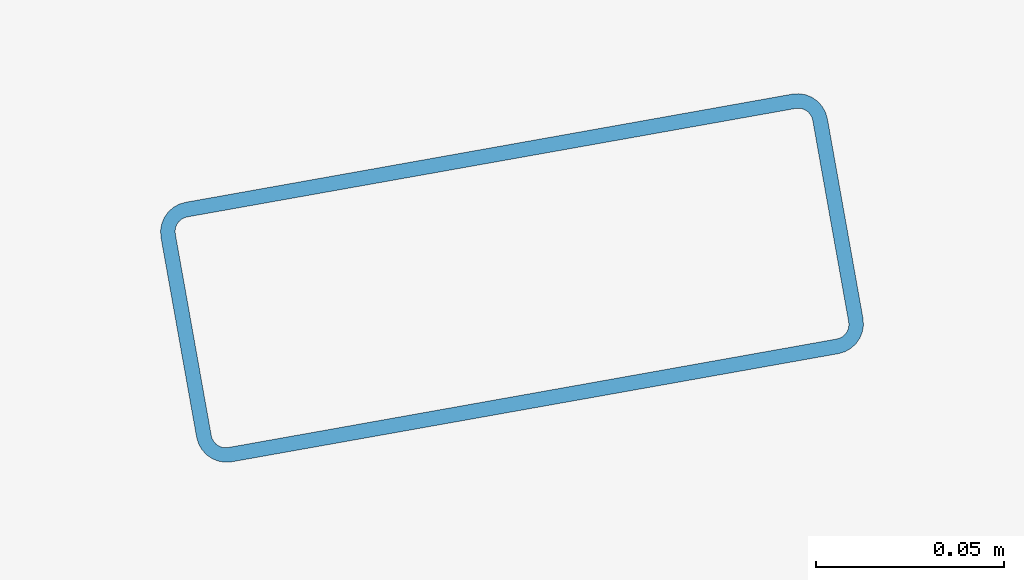
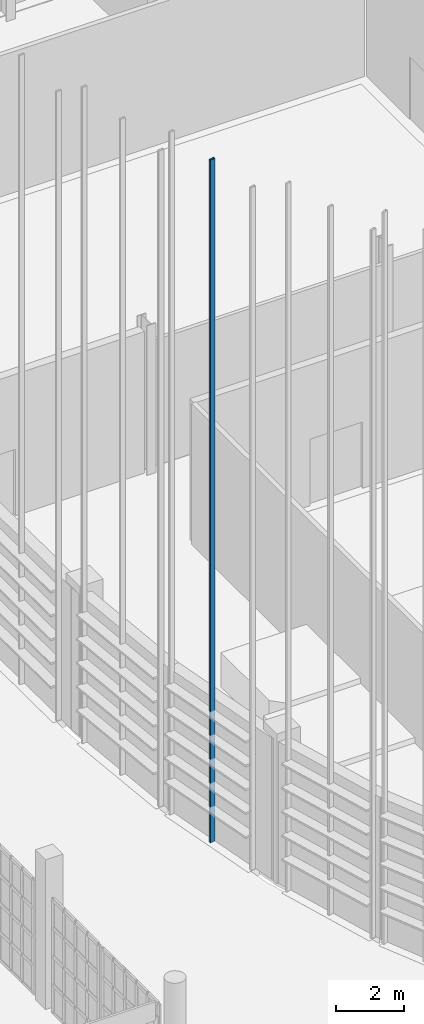
# One storey, part 80 of 372: 1 member.
"""IFC4 building model written with IfcOpenShell, lengths in metres."""

import ifcopenshell
import ifcopenshell.guid

model = None  # the IFC model being written
_history = None  # IfcOwnerHistory: only IFC2X3 demands one
_inside = {}  # id of a spatial element -> (the spatial element, [elements in it])
_under = {}  # id of a project, library or spatial element -> (it, [spatial elements below it])
_declared = {}  # id of a project -> (the project, [libraries it declares])
_typed = {}  # id of a type object -> (the type object, [elements of that type])
_made_of = {}  # id of a material, layer set ... -> (it, [elements and type objects made of it])


def new_model(schema):
    """Start an empty IFC model of exactly this schema.

    Asked for "IFC4X3", IfcOpenShell would pick the latest addendum, in which some entities
    have other attributes; the version numbers below select the first issue.
    IFC2X3 requires an IfcOwnerHistory on every rooted entity: one is made here for all.
    """
    global model, _history
    if schema == "IFC4X3":
        model = ifcopenshell.file(schema_version=(4, 3, 0, 0))
    else:
        model = ifcopenshell.file(schema=schema)
    _inside.clear()
    _under.clear()
    _declared.clear()
    _typed.clear()
    _made_of.clear()
    _history = None
    if model.schema == "IFC2X3":
        org = make("IfcOrganization", Name="unknown")
        user = make(
            "IfcPersonAndOrganization",
            ThePerson=make("IfcPerson", FamilyName="unknown"),
            TheOrganization=org,
        )
        app = make(
            "IfcApplication",
            ApplicationDeveloper=org,
            Version="unknown",
            ApplicationFullName="unknown",
            ApplicationIdentifier="unknown",
        )
        _history = make(
            "IfcOwnerHistory",
            OwningUser=user,
            OwningApplication=app,
            ChangeAction="ADDED",
            CreationDate=0,
        )
    return model


def make(cls, **values):
    """One entity of the class cls with the attributes given. An attribute that is None is left unset."""
    return model.create_entity(
        cls, **{name: value for name, value in values.items() if value is not None}
    )


def rooted(cls, **values):
    """An entity with a GlobalId (a new one), such as an element, a storey or a relation."""
    return make(cls, GlobalId=ifcopenshell.guid.new(), OwnerHistory=_history, **values)


def si_unit(unit_type, name, prefix=None):
    """IfcSIUnit, for example si_unit("LENGTHUNIT", "METRE", prefix="MILLI")."""
    return make("IfcSIUnit", UnitType=unit_type, Prefix=prefix, Name=name)


def assignment(units):
    """IfcUnitAssignment: the units of a project."""
    return None if units is None else make("IfcUnitAssignment", Units=units)


def point(xyz):
    """IfcCartesianPoint."""
    return None if xyz is None else make("IfcCartesianPoint", Coordinates=xyz)


def direction(xyz):
    """IfcDirection."""
    return None if xyz is None else make("IfcDirection", DirectionRatios=xyz)


def frame(location, z_axis=None, x_axis=None):
    """IfcAxis2Placement3D, a coordinate frame: its origin and axes. An axis left out is left unset."""
    return make(
        "IfcAxis2Placement3D",
        Location=point(location),
        Axis=direction(z_axis),
        RefDirection=direction(x_axis),
    )


def frame_2d(location, x_axis=None):
    """IfcAxis2Placement2D, a coordinate frame in the plane: its origin and x axis."""
    return make(
        "IfcAxis2Placement2D", Location=point(location), RefDirection=direction(x_axis)
    )


def origin():
    """The frame at (0, 0, 0) with its axes left unset."""
    return frame((0.0, 0.0, 0.0))


def origin_2d():
    """The frame at (0, 0) in the plane with its x axis left unset."""
    return frame_2d((0.0, 0.0))


def place(relative_to, where):
    """IfcLocalPlacement: puts the frame where relative to a parent placement (None: the world)."""
    return make(
        "IfcLocalPlacement", PlacementRelTo=relative_to, RelativePlacement=where
    )


def context(
    kind, dimensions, precision=None, world=None, true_north=None, identifier=None
):
    """IfcGeometricRepresentationContext, for example the 3D "Model" context."""
    return make(
        "IfcGeometricRepresentationContext",
        ContextIdentifier=identifier,
        ContextType=kind,
        CoordinateSpaceDimension=dimensions,
        Precision=precision,
        WorldCoordinateSystem=world,
        TrueNorth=true_north,
    )


def subcontext(parent, identifier, kind, view, scale=None):
    """IfcGeometricRepresentationSubContext, for example "Body" below "Model"."""
    return make(
        "IfcGeometricRepresentationSubContext",
        ContextIdentifier=identifier,
        ContextType=kind,
        ParentContext=parent,
        TargetScale=scale,
        TargetView=view,
    )


def project(units=None, contexts=None):
    """IfcProject with its units and contexts."""
    return rooted(
        "IfcProject",
        Name="project",
        RepresentationContexts=contexts,
        UnitsInContext=assignment(units),
    )


def spatial(cls, under=None, at=None, **own):
    """A site, building, storey or space (cls), placed at a placement, below another one or the project."""
    s = rooted(cls, ObjectPlacement=at, **own)
    if under is not None:
        _under.setdefault(under.id(), (under, []))[1].append(s)
    return s


def profile(cls, at=None, kind="AREA", **sizes):
    """A parametric profile (cls). Its sizes go by their IFC names, for example OverallWidth=200.0."""
    return make(cls, ProfileType=kind, Position=at, **sizes)


def hollow_rectangle(**sizes):
    """IfcRectangleHollowProfileDef."""
    return profile("IfcRectangleHollowProfileDef", **sizes)


def extrude(swept, where, along, depth):
    """IfcExtrudedAreaSolid: the profile swept, set in the frame where, extruded along a direction by depth."""
    return make(
        "IfcExtrudedAreaSolid",
        SweptArea=swept,
        Position=where,
        ExtrudedDirection=direction(along),
        Depth=depth,
    )


def shape(context_of_items, identifier, shape_type, items):
    """IfcShapeRepresentation: the items that make up one representation, for example the "Body"."""
    return make(
        "IfcShapeRepresentation",
        ContextOfItems=context_of_items,
        RepresentationIdentifier=identifier,
        RepresentationType=shape_type,
        Items=items,
    )


def material(Name=None, Category=None):
    """IfcMaterial."""
    return make("IfcMaterial", Name=Name, Category=Category)


def material_profile(
    of_material, cross_section, Name=None, Category=None, Priority=None
):
    """IfcMaterialProfile: a cross section and its material."""
    return make(
        "IfcMaterialProfile",
        Name=Name,
        Material=of_material,
        Profile=cross_section,
        Priority=Priority,
        Category=Category,
    )


def profile_set(profiles, Name=None, composite=None):
    """IfcMaterialProfileSet."""
    return make(
        "IfcMaterialProfileSet",
        Name=Name,
        MaterialProfiles=profiles,
        CompositeProfile=composite,
    )


def made_of(thing, what):
    """Note that an element or type object is made of a material, layer set ...; save() writes the relation."""
    if what is not None:
        _made_of.setdefault(what.id(), (what, []))[1].append(thing)
    return thing


def type_object(cls, material=None, **own):
    """A type object (cls), such as IfcWallType, which elements share."""
    return made_of(rooted(cls, **own), material)


def element(
    cls,
    number,
    at=None,
    inside=None,
    cuts=None,
    type_object=None,
    material=None,
    context=None,
    identifier="Body",
    shape_type=None,
    held_by="IfcProductDefinitionShape",
    body=None,
    shapes=None,
    **own,
):
    """One element of the class cls, such as IfcWall. Its Tag is "e" and its number.

    at: its placement. inside: the storey or other place that contains it. cuts: it is an
    opening in that element (IfcRelVoidsElement). A single representation is given by context,
    identifier, shape_type and body (its items); several are given by shapes. held_by: the class
    of the entity that holds the representations. save() writes the other relations.
    """
    e = rooted(cls, Tag="e%d" % number, ObjectPlacement=at, **own)
    if body is not None:
        shapes = [shape(context, identifier, shape_type, body)]
    if shapes is not None:
        e.Representation = make(held_by, Representations=shapes)
    if inside is not None:
        _inside.setdefault(inside.id(), (inside, []))[1].append(e)
    if cuts is not None:
        rooted(
            "IfcRelVoidsElement", RelatingBuildingElement=cuts, RelatedOpeningElement=e
        )
    if type_object is not None:
        _typed.setdefault(type_object.id(), (type_object, []))[1].append(e)
    return made_of(e, material)


def aggregate(whole, parts):
    """IfcRelAggregates: a whole, such as a stair, and the parts it consists of."""
    return rooted("IfcRelAggregates", RelatingObject=whole, RelatedObjects=parts)


def save(model, path):
    """Write the relations noted so far, then the file.

    IfcRelAggregates (storeys below a building ...), IfcRelContainedInSpatialStructure (elements
    in a storey), IfcRelDefinesByType, IfcRelAssociatesMaterial and IfcRelDeclares: one each for
    every whole, place, type object, material and project.
    """
    for whole, parts in _under.values():
        aggregate(whole, parts)
    for where, things in _inside.values():
        rooted(
            "IfcRelContainedInSpatialStructure",
            RelatedElements=things,
            RelatingStructure=where,
        )
    for kind, things in _typed.values():
        rooted("IfcRelDefinesByType", RelatedObjects=things, RelatingType=kind)
    for what, things in _made_of.values():
        rooted("IfcRelAssociatesMaterial", RelatedObjects=things, RelatingMaterial=what)
    for by, libraries in _declared.values():
        rooted("IfcRelDeclares", RelatingContext=by, RelatedDefinitions=libraries)
    model.write(path)


model = new_model("IFC4")

# Units and contexts
model_context = context("Model", 3, precision=1e-05, world=origin(), true_north=direction((0.0, 1.0)))
body_context = subcontext(model_context, "Body", "Model", "MODEL_VIEW")
ifc_project = project(units=[si_unit("LENGTHUNIT", "METRE"), si_unit("AREAUNIT", "SQUARE_METRE"), si_unit("VOLUMEUNIT", "CUBIC_METRE"), si_unit("PLANEANGLEUNIT", "RADIAN"), si_unit("MASSUNIT", "GRAM", prefix="KILO")], contexts=[model_context])

# Site, building, storey
site_placement = place(None, origin())
site = spatial("IfcSite", under=ifc_project, at=site_placement, CompositionType="ELEMENT")
building_placement = place(site_placement, origin())
building = spatial("IfcBuilding", under=site, at=building_placement, Name="Kaelora Sail Theatre", CompositionType="ELEMENT")
storey_placement = place(building_placement, origin())
storey = spatial("IfcBuildingStorey", under=building, at=storey_placement, Name="L00", CompositionType="ELEMENT", Elevation=0.0)

# Member
ifc_material = material(Name="Anodised aluminium 6063-T6", Category="aluminium")
ifc_material_profile = material_profile(ifc_material, hollow_rectangle(XDim=0.070068359375, YDim=0.179931640625, WallThickness=0.00390625, InnerFilletRadius=0.00390625, OuterFilletRadius=0.008056640625, at=origin_2d()), Name="ALU-MULL 70x180x4")
ifc_profile_set = profile_set([ifc_material_profile], Name="Anodised aluminium 6063-T6")
member_type = type_object("IfcMemberType", Name="ARC-MEM-PST-160", PredefinedType="POST", material=ifc_profile_set)
member_placement = place(storey_placement, frame((25.996826171875, 43.44873046875, 0.0), z_axis=(0.0, 0.0, 1.0), x_axis=(-0.17553855164, 0.984472557712, 0.0)))
element("IfcMember", 1, at=member_placement, inside=storey, type_object=member_type, Name="Main Theatre Sail Drum solar louvre vertical support post C19-2", PredefinedType="POST", context=body_context, shape_type="SweptSolid", body=[
    extrude(hollow_rectangle(XDim=0.070068359375, YDim=0.179931640625, WallThickness=0.00390625, InnerFilletRadius=0.00390625, OuterFilletRadius=0.008056640625, at=origin_2d()), origin(), (0.0, 0.0, 1.0), 24.617919921875),
])

save(model, "model.ifc")
